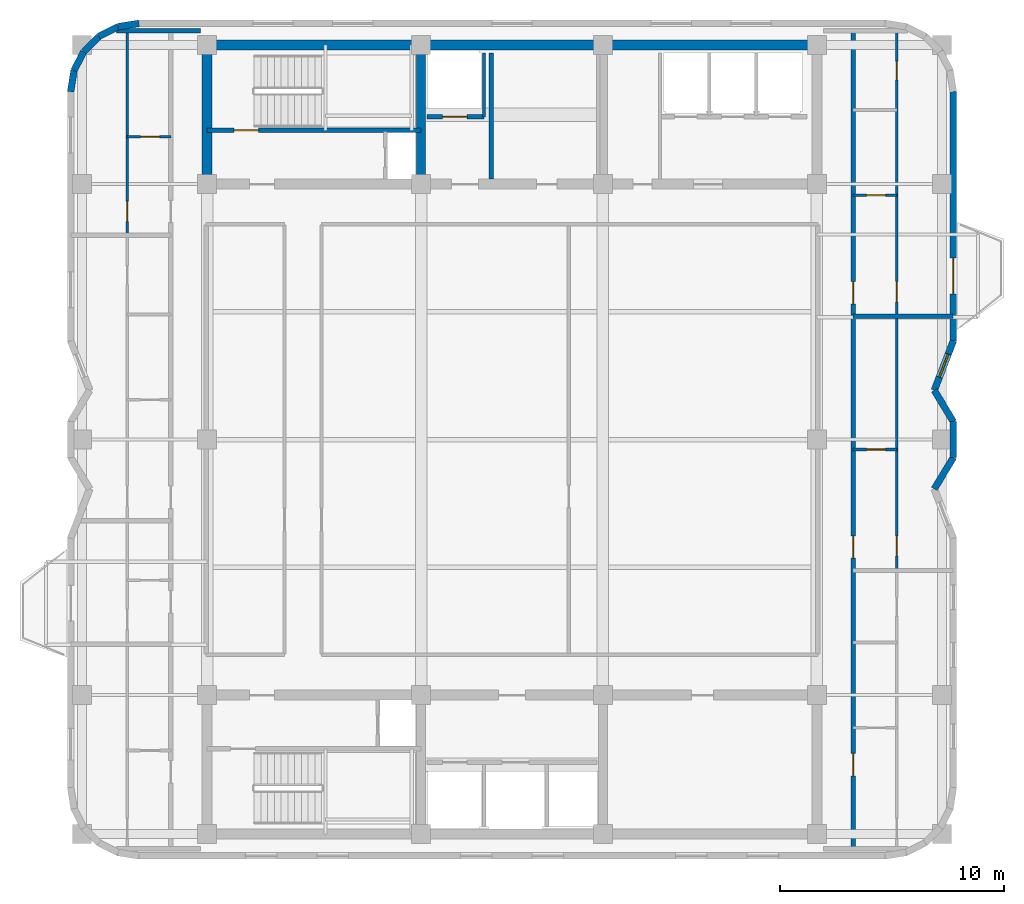
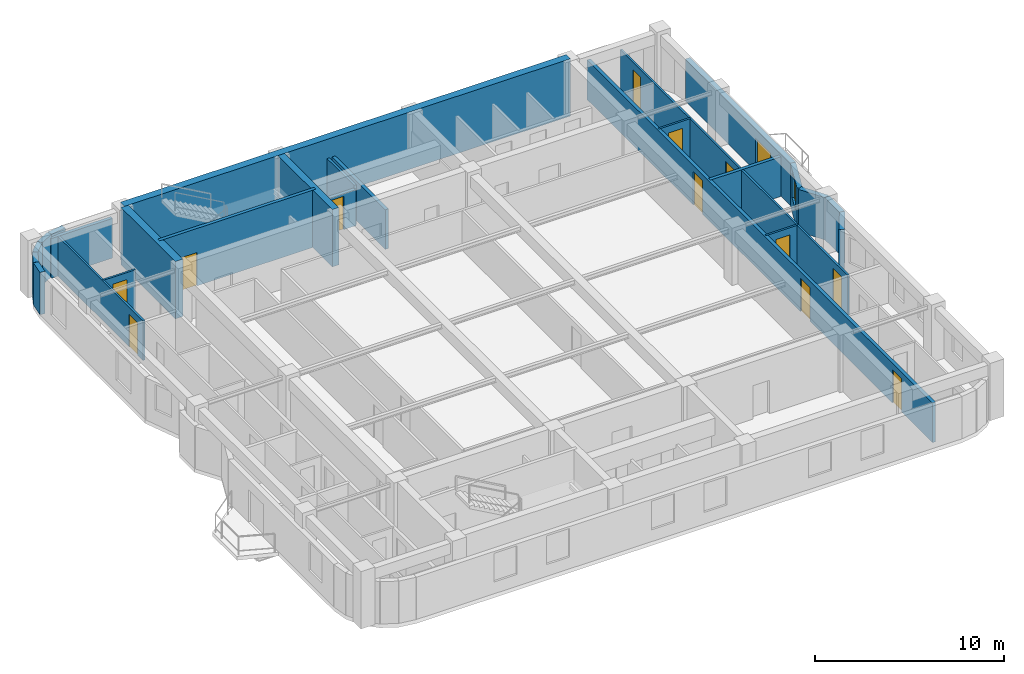
# One storey, part 5 of 8: 26 walls, 13 doors, 1 window, 14 openings.
"""IFC4 building model written with IfcOpenShell, lengths in metres."""

from ifc_helpers import new_model, si_unit, direction, frame, frame_2d, origin, place, context, subcontext, project, spatial, rectangle, extrude, material, layer, layer_set, type_object, element, fill, save


model = new_model("IFC4")

# Units and contexts
model_context = context("Model", 3, precision=1e-05, world=origin(), true_north=direction((0.0, 1.0)))
body_context = subcontext(model_context, "Body", "Model", "MODEL_VIEW")
ifc_project = project(units=[si_unit("LENGTHUNIT", "METRE"), si_unit("AREAUNIT", "SQUARE_METRE"), si_unit("VOLUMEUNIT", "CUBIC_METRE"), si_unit("PLANEANGLEUNIT", "RADIAN"), si_unit("MASSUNIT", "GRAM", prefix="KILO")], contexts=[model_context])

# Site, building, storey
site_placement = place(None, origin())
site = spatial("IfcSite", under=ifc_project, at=site_placement, CompositionType="ELEMENT")
building_placement = place(site_placement, origin())
building = spatial("IfcBuilding", under=site, at=building_placement, Name="Svetorya Sky Lyceum", CompositionType="ELEMENT")
storey_placement = place(building_placement, frame((0.0, 0.0, 229.5)))
storey = spatial("IfcBuildingStorey", under=building, at=storey_placement, Name="L57", CompositionType="ELEMENT", Elevation=229.5)

# Walls
ifc_material_1 = material(Name="Concrete C40/50", Category="concrete")
ifc_layer_1 = layer(ifc_material_1, 0.39990234375)
ifc_layer_set_1 = layer_set([ifc_layer_1], Name="Concrete C40/50")
wall_type_1 = type_object("IfcWallType", Name="WL-CORE-400", PredefinedType="SHEAR", material=ifc_layer_set_1)
wall_1_placement = place(storey_placement, frame((35.14990234375, 39.824951171875, 0.0), z_axis=(0.0, 0.0, 1.0), x_axis=(0.0, 1.0, 0.0)))
element("IfcWall", 1, at=wall_1_placement, inside=storey, type_object=wall_type_1, Name="L57 NC Internal Shear Web WEB1", PredefinedType="SHEAR", context=body_context, shape_type="SweptSolid", body=[
    extrude(rectangle(XDim=5.75, YDim=0.39990234375, at=frame_2d((2.875, 0.0))), origin(), (0.0, 0.0, 1.0), 3.699951171875),
])
ifc_material_2 = material(Name="Concrete C50/60", Category="concrete")
ifc_layer_2 = layer(ifc_material_2, 0.449951171875)
ifc_layer_set_2 = layer_set([ifc_layer_2], Name="Concrete C50/60")
wall_type_2 = type_object("IfcWallType", Name="WL-CORE-450", PredefinedType="SHEAR", material=ifc_layer_set_2)
wall_2_placement = place(storey_placement, frame((25.60009765625, 45.800048828125, 0.0), z_axis=(0.0, 0.0, 1.0), x_axis=(1.0, 0.0, 0.0)))
element("IfcWall", 2, at=wall_2_placement, inside=storey, type_object=wall_type_2, Name="L57 NC Outer Core Shear Wall", PredefinedType="SHEAR", context=body_context, shape_type="SweptSolid", body=[
    extrude(rectangle(XDim=27.199951171875, YDim=0.449951171875, at=frame_2d((13.60009765625, 0.0))), origin(), (0.0, 0.0, 1.0), 3.699951171875),
])
wall_3_placement = place(storey_placement, frame((25.60009765625, 39.824951171875, 0.0), z_axis=(0.0, 0.0, 1.0), x_axis=(0.0, 1.0, 0.0)))
element("IfcWall", 3, at=wall_3_placement, inside=storey, type_object=wall_type_2, Name="L57 NC West Core Shear Wall", PredefinedType="SHEAR", context=body_context, shape_type="SweptSolid", body=[
    extrude(rectangle(XDim=5.75, YDim=0.449951171875, at=frame_2d((2.875, 0.0))), origin(), (0.0, 0.0, 1.0), 3.699951171875),
])
ifc_material_3 = material(Name="Putilovo limestone rainscreen on autoclaved cellular masonry", Category="masonry")
ifc_layer_3 = layer(ifc_material_3, 0.300048828125)
ifc_layer_set_3 = layer_set([ifc_layer_3], Name="Putilovo limestone rainscreen on autoclaved cellular masonry")
wall_type_3 = type_object("IfcWallType", Name="WL-EXT-300", PredefinedType="SOLIDWALL", material=ifc_layer_set_3)
wall_4_placement = place(storey_placement, frame((58.0400390625, 26.0, 0.0), z_axis=(0.0, 0.0, 1.0), x_axis=(0.518939231806, 0.854811133346, 0.0)))
element("IfcWall", 4, at=wall_4_placement, inside=storey, type_object=wall_type_3, Name="L57 Limestone Exterior Wall 14M", PredefinedType="SOLIDWALL", context=body_context, shape_type="SweptSolid", body=[
    extrude(rectangle(XDim=1.6376953125, YDim=0.300048828125, at=frame_2d((0.81884765625, 0.0))), origin(), (0.0, 0.0, 1.0), 2.72998046875),
])
wall_5_placement = place(storey_placement, frame((58.889892578125, 27.39990234375, 0.0), z_axis=(0.0, 0.0, 1.0), x_axis=(0.0, 1.0, 0.0)))
element("IfcWall", 5, at=wall_5_placement, inside=storey, type_object=wall_type_3, Name="L57 Limestone Exterior Wall 15M", PredefinedType="SOLIDWALL", context=body_context, shape_type="SweptSolid", body=[
    extrude(rectangle(XDim=1.60009765625, YDim=0.300048828125, at=frame_2d((0.800048828125, 0.0))), origin(), (0.0, 0.0, 1.0), 2.72998046875),
])
wall_6_placement = place(storey_placement, frame((58.889892578125, 29.0, 0.0), z_axis=(0.0, 0.0, 1.0), x_axis=(-0.518939231806, 0.854811133346, 0.0)))
element("IfcWall", 6, at=wall_6_placement, inside=storey, type_object=wall_type_3, Name="L57 Limestone Exterior Wall 16M", PredefinedType="SOLIDWALL", context=body_context, shape_type="SweptSolid", body=[
    extrude(rectangle(XDim=1.6376953125, YDim=0.300048828125, at=frame_2d((0.81884765625, 0.0))), origin(), (0.0, 0.0, 1.0), 2.72998046875),
])

# Wall, opening, window
wall_7_placement = place(storey_placement, frame((58.0400390625, 30.39990234375, 0.0), z_axis=(0.0, 0.0, 1.0), x_axis=(0.360317400447, 0.932829765249, 0.0)))
wall_7 = element("IfcWall", 7, at=wall_7_placement, inside=storey, type_object=wall_type_3, Name="L57 Limestone Exterior Wall 17M", PredefinedType="SOLIDWALL", context=body_context, shape_type="SweptSolid", body=[
    extrude(rectangle(XDim=2.358642578125, YDim=0.300048828125, at=frame_2d((1.17919921875, 0.0))), origin(), (0.0, 0.0, 1.0), 2.72998046875),
])
opening_1_placement = place(wall_7_placement, frame((0.629150390625, 0.0, 0.919921875)))
opening_1 = element("IfcOpeningElement", 8, at=opening_1_placement, cuts=wall_7, Name="Opening W-R3", PredefinedType="OPENING", context=body_context, shape_type="SweptSolid", body=[
    extrude(rectangle(XDim=1.10009765625, YDim=1.64990234375, at=frame_2d((0.550048828125, 0.824951171875))), frame((0.0, 0.159912109375, 0.0), z_axis=(0.0, -1.0, 0.0), x_axis=(1.0, 0.0, 0.0)), (0.0, 0.0, 1.0), 0.320068359375),
])
ifc_material_4 = material(Name="Thermally broken aluminium frame with triple low-E glazing", Category="aluminium")
window_type = type_object("IfcWindowType", Name="WN-RES-110", PartitioningType="SINGLE_PANEL", PredefinedType="WINDOW", material=ifc_material_4)
window_placement = place(opening_1_placement, origin())
window = element("IfcWindow", 9, at=window_placement, inside=storey, type_object=window_type, Name="L57 Facade Window W-R3.17M.1", OverallHeight=1.64990234375, OverallWidth=1.10009765625, PartitioningType="SINGLE_PANEL", PredefinedType="WINDOW", context=body_context, shape_type="SweptSolid", body=[
    extrude(rectangle(XDim=1.10009765625, YDim=1.64990234375, at=frame_2d((0.550048828125, 0.824951171875))), frame((0.0, 0.030029296875, 0.0), z_axis=(0.0, -1.0, 0.0), x_axis=(1.0, 0.0, 0.0)), (0.0, 0.0, 1.0), 0.06005859375),
])
fill(opening_1, window)

# Wall, opening, door
wall_8_placement = place(storey_placement, frame((58.889892578125, 32.60009765625, 0.0), z_axis=(0.0, 0.0, 1.0), x_axis=(0.0, 1.0, 0.0)))
wall_8 = element("IfcWall", 10, at=wall_8_placement, inside=storey, type_object=wall_type_3, Name="L57 Limestone Exterior Wall 18M", PredefinedType="SOLIDWALL", context=body_context, shape_type="SweptSolid", body=[
    extrude(rectangle(XDim=11.119873046875, YDim=0.300048828125, at=frame_2d((5.56005859375, 0.0))), origin(), (0.0, 0.0, 1.0), 2.72998046875),
])
opening_2_placement = place(wall_8_placement, frame((2.10009765625, 0.0, 0.0)))
opening_2 = element("IfcOpeningElement", 11, at=opening_2_placement, cuts=wall_8, Name="Opening D-BL1", PredefinedType="OPENING", context=body_context, shape_type="SweptSolid", body=[
    extrude(rectangle(XDim=1.60009765625, YDim=2.10009765625, at=frame_2d((0.800048828125, 1.050048828125))), frame((0.0, 0.159912109375, 0.0), z_axis=(0.0, -1.0, 0.0), x_axis=(1.0, 0.0, 0.0)), (0.0, 0.0, 1.0), 0.320068359375),
])
ifc_material_5 = material(Name="Insulated glazed aluminium balcony door", Category="aluminium")
door_type_1 = type_object("IfcDoorType", Name="DR-BAL-1600", OperationType="DOUBLE_DOOR_SINGLE_SWING", PredefinedType="DOOR", material=ifc_material_5)
door_1_placement = place(opening_2_placement, origin())
door_1 = element("IfcDoor", 12, at=door_1_placement, inside=storey, type_object=door_type_1, Name="L57 Balcony BAL-E1 Door", OperationType="DOUBLE_DOOR_SINGLE_SWING", OverallHeight=2.10009765625, OverallWidth=1.60009765625, PredefinedType="DOOR", context=body_context, shape_type="SweptSolid", body=[
    extrude(rectangle(XDim=1.60009765625, YDim=2.10009765625, at=frame_2d((0.800048828125, 1.050048828125))), frame((0.0, 0.02490234375, 0.0), z_axis=(0.0, -1.0, 0.0), x_axis=(1.0, 0.0, 0.0)), (0.0, 0.0, 1.0), 0.050048828125),
])
fill(opening_2, door_1)

# Walls
wall_9_placement = place(storey_placement, frame((22.56005859375, 46.77001953125, 0.0), z_axis=(0.0, 0.0, 1.0), x_axis=(-0.987669453596, -0.156553666304, 0.0)))
element("IfcWall", 13, at=wall_9_placement, inside=storey, type_object=wall_type_3, Name="L57 Limestone Exterior Wall 25M", PredefinedType="SOLIDWALL", context=body_context, shape_type="SweptSolid", body=[
    extrude(rectangle(XDim=0.954345703125, YDim=0.300048828125, at=frame_2d((0.47705078125, 0.0))), origin(), (0.0, 0.0, 1.0), 2.72998046875),
])
wall_10_placement = place(storey_placement, frame((21.617431640625, 46.62060546875, 0.0), z_axis=(0.0, 0.0, 1.0), x_axis=(-0.891023873617, -0.45395644796, 0.0)))
element("IfcWall", 14, at=wall_10_placement, inside=storey, type_object=wall_type_3, Name="L57 Limestone Exterior Wall 26M", PredefinedType="SOLIDWALL", context=body_context, shape_type="SweptSolid", body=[
    extrude(rectangle(XDim=0.9541015625, YDim=0.300048828125, at=frame_2d((0.47705078125, 0.0))), origin(), (0.0, 0.0, 1.0), 2.72998046875),
])
wall_11_placement = place(storey_placement, frame((20.767333984375, 46.1875, 0.0), z_axis=(0.0, 0.0, 1.0), x_axis=(-0.707106781187, -0.707106781187, 0.0)))
element("IfcWall", 15, at=wall_11_placement, inside=storey, type_object=wall_type_3, Name="L57 Limestone Exterior Wall 27M", PredefinedType="SOLIDWALL", context=body_context, shape_type="SweptSolid", body=[
    extrude(rectangle(XDim=0.954345703125, YDim=0.300048828125, at=frame_2d((0.47705078125, 0.0))), origin(), (0.0, 0.0, 1.0), 2.72998046875),
])
wall_12_placement = place(storey_placement, frame((20.092529296875, 45.5126953125, 0.0), z_axis=(0.0, 0.0, 1.0), x_axis=(-0.454159573051, -0.890920356825, 0.0)))
element("IfcWall", 16, at=wall_12_placement, inside=storey, type_object=wall_type_3, Name="L57 Limestone Exterior Wall 28M", PredefinedType="SOLIDWALL", context=body_context, shape_type="SweptSolid", body=[
    extrude(rectangle(XDim=0.9541015625, YDim=0.300048828125, at=frame_2d((0.47705078125, 0.0))), origin(), (0.0, 0.0, 1.0), 2.72998046875),
])
wall_13_placement = place(storey_placement, frame((19.6591796875, 44.66259765625, 0.0), z_axis=(0.0, 0.0, 1.0), x_axis=(-0.156304114255, -0.987708977314, 0.0)))
element("IfcWall", 17, at=wall_13_placement, inside=storey, type_object=wall_type_3, Name="L57 Limestone Exterior Wall 29M", PredefinedType="SOLIDWALL", context=body_context, shape_type="SweptSolid", body=[
    extrude(rectangle(XDim=0.954345703125, YDim=0.300048828125, at=frame_2d((0.47705078125, 0.0))), origin(), (0.0, 0.0, 1.0), 2.72998046875),
])

# Wall, opening, door
ifc_material_6 = material(Name="Twin-stud galvanized framing with double fireboard", Category="gypsum")
ifc_layer_4 = layer(ifc_material_6, 0.1201171875)
ifc_layer_set_4 = layer_set([ifc_layer_4], Name="Twin-stud galvanized framing with double fireboard")
wall_type_4 = type_object("IfcWallType", Name="WL-PART-120", PredefinedType="PARTITIONING", material=ifc_layer_set_4)
wall_14_placement = place(storey_placement, frame((22.030029296875, 41.705078125, 0.0), z_axis=(0.0, 0.0, 1.0), x_axis=(1.0, 0.0, 0.0)))
wall_14 = element("IfcWall", 18, at=wall_14_placement, inside=storey, type_object=wall_type_4, Name="L57 Interior Partition W4-WH1", PredefinedType="PARTITIONING", context=body_context, shape_type="SweptSolid", body=[
    extrude(rectangle(XDim=1.949951171875, YDim=0.1201171875, at=frame_2d((0.97509765625, 0.0))), origin(), (0.0, 0.0, 1.0), 2.56005859375),
])
opening_3_placement = place(wall_14_placement, frame((0.60009765625, 0.0, 0.0)))
opening_3 = element("IfcOpeningElement", 19, at=opening_3_placement, cuts=wall_14, Name="Opening D-BT1", PredefinedType="OPENING", context=body_context, shape_type="SweptSolid", body=[
    extrude(rectangle(XDim=0.85009765625, YDim=2.10009765625, at=frame_2d((0.425048828125, 1.050048828125))), frame((0.0, 0.070068359375, 0.0), z_axis=(0.0, -1.0, 0.0), x_axis=(1.0, 0.0, 0.0)), (0.0, 0.0, 1.0), 0.14013671875),
])
ifc_material_7 = material(Name="Moisture-resistant laminate bathroom door")
door_type_2 = type_object("IfcDoorType", Name="DR-WET-850", OperationType="SINGLE_SWING_LEFT", PredefinedType="DOOR", material=ifc_material_7)
door_2_placement = place(opening_3_placement, origin())
door_2 = element("IfcDoor", 20, at=door_2_placement, inside=storey, type_object=door_type_2, Name="Apartment W4 Bathroom Door", OperationType="SINGLE_SWING_RIGHT", OverallHeight=2.10009765625, OverallWidth=0.85009765625, PredefinedType="DOOR", context=body_context, shape_type="SweptSolid", body=[
    extrude(rectangle(XDim=0.85009765625, YDim=2.10009765625, at=frame_2d((0.425048828125, 1.050048828125))), frame((0.0, 0.02490234375, 0.0), z_axis=(0.0, -1.0, 0.0), x_axis=(1.0, 0.0, 0.0)), (0.0, 0.0, 1.0), 0.050048828125),
])
fill(opening_3, door_2)

wall_15_placement = place(storey_placement, frame((22.030029296875, 37.364990234375, 0.0), z_axis=(0.0, 0.0, 1.0), x_axis=(0.0, 1.0, 0.0)))
wall_15 = element("IfcWall", 21, at=wall_15_placement, inside=storey, type_object=wall_type_4, Name="L57 Interior Partition W4-WV", PredefinedType="PARTITIONING", context=body_context, shape_type="SweptSolid", body=[
    extrude(rectangle(XDim=9.044921875, YDim=0.1201171875, at=frame_2d((4.5224609375, 0.0))), origin(), (0.0, 0.0, 1.0), 2.56005859375),
])
opening_4_placement = place(wall_15_placement, frame((0.56005859375, 0.0, 0.0)))
opening_4 = element("IfcOpeningElement", 22, at=opening_4_placement, cuts=wall_15, Name="Opening D-RM1", PredefinedType="OPENING", context=body_context, shape_type="SweptSolid", body=[
    extrude(rectangle(XDim=0.89990234375, YDim=2.10009765625, at=frame_2d((0.449951171875, 1.050048828125))), frame((0.0, 0.070068359375, 0.0), z_axis=(0.0, -1.0, 0.0), x_axis=(1.0, 0.0, 0.0)), (0.0, 0.0, 1.0), 0.14013671875),
])
ifc_material_8 = material(Name="Lacquered birch veneer internal door")
door_type_3 = type_object("IfcDoorType", Name="DR-INT-900", OperationType="SINGLE_SWING_LEFT", PredefinedType="DOOR", material=ifc_material_8)
door_3_placement = place(opening_4_placement, origin())
door_3 = element("IfcDoor", 23, at=door_3_placement, inside=storey, type_object=door_type_3, Name="Apartment W4 Living Door", OperationType="SINGLE_SWING_LEFT", OverallHeight=2.10009765625, OverallWidth=0.89990234375, PredefinedType="DOOR", context=body_context, shape_type="SweptSolid", body=[
    extrude(rectangle(XDim=0.89990234375, YDim=2.10009765625, at=frame_2d((0.449951171875, 1.050048828125))), frame((0.0, 0.02490234375, 0.0), z_axis=(0.0, -1.0, 0.0), x_axis=(1.0, 0.0, 0.0)), (0.0, 0.0, 1.0), 0.050048828125),
])
fill(opening_4, door_3)

wall_16_placement = place(storey_placement, frame((54.419921875, 27.760009765625, 0.0), z_axis=(0.0, 0.0, 1.0), x_axis=(1.0, 0.0, 0.0)))
wall_16 = element("IfcWall", 24, at=wall_16_placement, inside=storey, type_object=wall_type_4, Name="L57 Interior Partition E2-WH1", PredefinedType="PARTITIONING", context=body_context, shape_type="SweptSolid", body=[
    extrude(rectangle(XDim=1.9501953125, YDim=0.1201171875, at=frame_2d((0.97509765625, 0.0))), origin(), (0.0, 0.0, 1.0), 2.56005859375),
])
opening_5_placement = place(wall_16_placement, frame((0.60009765625, 0.0, 0.0)))
opening_5 = element("IfcOpeningElement", 25, at=opening_5_placement, cuts=wall_16, Name="Opening D-BT1", PredefinedType="OPENING", context=body_context, shape_type="SweptSolid", body=[
    extrude(rectangle(XDim=0.85009765625, YDim=2.10009765625, at=frame_2d((0.425048828125, 1.050048828125))), frame((0.0, 0.070068359375, 0.0), z_axis=(0.0, -1.0, 0.0), x_axis=(1.0, 0.0, 0.0)), (0.0, 0.0, 1.0), 0.14013671875),
])
door_4_placement = place(opening_5_placement, origin())
door_4 = element("IfcDoor", 26, at=door_4_placement, inside=storey, type_object=door_type_2, Name="Apartment E2 Bathroom Door", OperationType="SINGLE_SWING_LEFT", OverallHeight=2.10009765625, OverallWidth=0.85009765625, PredefinedType="DOOR", context=body_context, shape_type="SweptSolid", body=[
    extrude(rectangle(XDim=0.85009765625, YDim=2.10009765625, at=frame_2d((0.425048828125, 1.050048828125))), frame((0.0, 0.02490234375, 0.0), z_axis=(0.0, -1.0, 0.0), x_axis=(1.0, 0.0, 0.0)), (0.0, 0.0, 1.0), 0.050048828125),
])
fill(opening_5, door_4)

wall_17_placement = place(storey_placement, frame((56.3701171875, 22.39990234375, 0.0), z_axis=(0.0, 0.0, 1.0), x_axis=(0.0, 1.0, 0.0)))
wall_17 = element("IfcWall", 27, at=wall_17_placement, inside=storey, type_object=wall_type_4, Name="L57 Interior Partition E2-WV", PredefinedType="PARTITIONING", context=body_context, shape_type="SweptSolid", body=[
    extrude(rectangle(XDim=11.260009765625, YDim=0.1201171875, at=frame_2d((5.6298828125, 0.0))), origin(), (0.0, 0.0, 1.0), 2.56005859375),
])
opening_6_placement = place(wall_17_placement, frame((0.610107421875, 0.0, 0.0)))
opening_6 = element("IfcOpeningElement", 28, at=opening_6_placement, cuts=wall_17, Name="Opening D-RM1", PredefinedType="OPENING", context=body_context, shape_type="SweptSolid", body=[
    extrude(rectangle(XDim=0.89990234375, YDim=2.10009765625, at=frame_2d((0.449951171875, 1.050048828125))), frame((0.0, 0.070068359375, 0.0), z_axis=(0.0, -1.0, 0.0), x_axis=(1.0, 0.0, 0.0)), (0.0, 0.0, 1.0), 0.14013671875),
])
door_5_placement = place(opening_6_placement, origin())
door_5 = element("IfcDoor", 29, at=door_5_placement, inside=storey, type_object=door_type_3, Name="Apartment E2 Living Door", OperationType="SINGLE_SWING_RIGHT", OverallHeight=2.10009765625, OverallWidth=0.89990234375, PredefinedType="DOOR", context=body_context, shape_type="SweptSolid", body=[
    extrude(rectangle(XDim=0.89990234375, YDim=2.10009765625, at=frame_2d((0.449951171875, 1.050048828125))), frame((0.0, 0.02490234375, 0.0), z_axis=(0.0, -1.0, 0.0), x_axis=(1.0, 0.0, 0.0)), (0.0, 0.0, 1.0), 0.050048828125),
])
fill(opening_6, door_5)

wall_18_placement = place(storey_placement, frame((54.419921875, 39.10009765625, 0.0), z_axis=(0.0, 0.0, 1.0), x_axis=(1.0, 0.0, 0.0)))
wall_18 = element("IfcWall", 30, at=wall_18_placement, inside=storey, type_object=wall_type_4, Name="L57 Interior Partition E3-WH1", PredefinedType="PARTITIONING", context=body_context, shape_type="SweptSolid", body=[
    extrude(rectangle(XDim=1.9501953125, YDim=0.1201171875, at=frame_2d((0.97509765625, 0.0))), origin(), (0.0, 0.0, 1.0), 2.56005859375),
])
opening_7_placement = place(wall_18_placement, frame((0.60009765625, 0.0, 0.0)))
opening_7 = element("IfcOpeningElement", 31, at=opening_7_placement, cuts=wall_18, Name="Opening D-BT1", PredefinedType="OPENING", context=body_context, shape_type="SweptSolid", body=[
    extrude(rectangle(XDim=0.85009765625, YDim=2.10009765625, at=frame_2d((0.425048828125, 1.050048828125))), frame((0.0, 0.070068359375, 0.0), z_axis=(0.0, -1.0, 0.0), x_axis=(1.0, 0.0, 0.0)), (0.0, 0.0, 1.0), 0.14013671875),
])
door_6_placement = place(opening_7_placement, origin())
door_6 = element("IfcDoor", 32, at=door_6_placement, inside=storey, type_object=door_type_2, Name="Apartment E3 Bathroom Door", OperationType="SINGLE_SWING_RIGHT", OverallHeight=2.10009765625, OverallWidth=0.85009765625, PredefinedType="DOOR", context=body_context, shape_type="SweptSolid", body=[
    extrude(rectangle(XDim=0.85009765625, YDim=2.10009765625, at=frame_2d((0.425048828125, 1.050048828125))), frame((0.0, 0.02490234375, 0.0), z_axis=(0.0, -1.0, 0.0), x_axis=(1.0, 0.0, 0.0)), (0.0, 0.0, 1.0), 0.050048828125),
])
fill(opening_7, door_6)

# Wall, openings, doors
wall_19_placement = place(storey_placement, frame((56.3701171875, 33.739990234375, 0.0), z_axis=(0.0, 0.0, 1.0), x_axis=(0.0, 1.0, 0.0)))
wall_19 = element("IfcWall", 33, at=wall_19_placement, inside=storey, type_object=wall_type_4, Name="L57 Interior Partition E3-WV", PredefinedType="PARTITIONING", context=body_context, shape_type="SweptSolid", body=[
    extrude(rectangle(XDim=12.669921875, YDim=0.1201171875, at=frame_2d((6.3349609375, 0.0))), origin(), (0.0, 0.0, 1.0), 2.56005859375),
])
opening_8_placement = place(wall_19_placement, frame((0.610107421875, 0.0, 0.0)))
opening_8 = element("IfcOpeningElement", 34, at=opening_8_placement, cuts=wall_19, Name="Opening D-RM1", PredefinedType="OPENING", context=body_context, shape_type="SweptSolid", body=[
    extrude(rectangle(XDim=0.89990234375, YDim=2.10009765625, at=frame_2d((0.449951171875, 1.050048828125))), frame((0.0, 0.070068359375, 0.0), z_axis=(0.0, -1.0, 0.0), x_axis=(1.0, 0.0, 0.0)), (0.0, 0.0, 1.0), 0.14013671875),
])
opening_9_placement = place(wall_19_placement, frame((10.510009765625, 0.0, 0.0)))
opening_9 = element("IfcOpeningElement", 35, at=opening_9_placement, cuts=wall_19, Name="Opening D-BT2", PredefinedType="OPENING", context=body_context, shape_type="SweptSolid", body=[
    extrude(rectangle(XDim=0.820068359375, YDim=2.080078125, at=frame_2d((0.41015625, 1.0400390625))), frame((0.0, 0.070068359375, 0.0), z_axis=(0.0, -1.0, 0.0), x_axis=(1.0, 0.0, 0.0)), (0.0, 0.0, 1.0), 0.14013671875),
])
door_7_placement = place(opening_8_placement, origin())
door_7 = element("IfcDoor", 36, at=door_7_placement, inside=storey, type_object=door_type_3, Name="Apartment E3 Living Door", OperationType="SINGLE_SWING_LEFT", OverallHeight=2.10009765625, OverallWidth=0.89990234375, PredefinedType="DOOR", context=body_context, shape_type="SweptSolid", body=[
    extrude(rectangle(XDim=0.89990234375, YDim=2.10009765625, at=frame_2d((0.449951171875, 1.050048828125))), frame((0.0, 0.02490234375, 0.0), z_axis=(0.0, -1.0, 0.0), x_axis=(1.0, 0.0, 0.0)), (0.0, 0.0, 1.0), 0.050048828125),
])
fill(opening_8, door_7)
ifc_material_9 = material(Name="Compact moisture-resistant laminate closet door")
door_type_4 = type_object("IfcDoorType", Name="DR-WET-820", OperationType="SINGLE_SWING_LEFT", PredefinedType="DOOR", material=ifc_material_9)
door_8_placement = place(opening_9_placement, origin())
door_8 = element("IfcDoor", 37, at=door_8_placement, inside=storey, type_object=door_type_4, Name="Apartment E3 Study Door", OperationType="SINGLE_SWING_RIGHT", OverallHeight=2.080078125, OverallWidth=0.820068359375, PredefinedType="DOOR", context=body_context, shape_type="SweptSolid", body=[
    extrude(rectangle(XDim=0.820068359375, YDim=2.080078125, at=frame_2d((0.41015625, 1.0400390625))), frame((0.0, 0.02490234375, 0.0), z_axis=(0.0, -1.0, 0.0), x_axis=(1.0, 0.0, 0.0)), (0.0, 0.0, 1.0), 0.050048828125),
])
fill(opening_9, door_8)

# Wall
ifc_material_10 = material(Name="Autoclaved cellular masonry blockwork with acoustic render", Category="masonry")
ifc_layer_5 = layer(ifc_material_10, 0.14990234375)
ifc_layer_set_5 = layer_set([ifc_layer_5], Name="Autoclaved cellular masonry blockwork with acoustic render")
wall_type_5 = type_object("IfcWallType", Name="WL-PART-150", PredefinedType="PARTITIONING", material=ifc_layer_set_5)
wall_20_placement = place(storey_placement, frame((37.949951171875, 42.60009765625, 0.0), z_axis=(0.0, 0.0, 1.0), x_axis=(0.0, 1.0, 0.0)))
element("IfcWall", 38, at=wall_20_placement, inside=storey, type_object=wall_type_5, Name="L57 Interior Partition NC-FL1SIDE", PredefinedType="PARTITIONING", context=body_context, shape_type="SweptSolid", body=[
    extrude(rectangle(XDim=2.849853515625, YDim=0.14990234375, at=frame_2d((1.4248046875, 0.0))), origin(), (0.0, 0.0, 1.0), 2.56005859375),
])

# Wall, opening, door
ifc_material_11 = material(Name="Autoclaved cellular masonry blockwork with gypsum plaster", Category="masonry")
ifc_layer_6 = layer(ifc_material_11, 0.199951171875)
ifc_layer_set_6 = layer_set([ifc_layer_6], Name="Autoclaved cellular masonry blockwork with gypsum plaster")
wall_type_6 = type_object("IfcWallType", Name="WL-PART-200", PredefinedType="PARTITIONING", material=ifc_layer_set_6)
wall_21_placement = place(storey_placement, frame((37.949951171875, 42.60009765625, 0.0), z_axis=(0.0, 0.0, 1.0), x_axis=(-1.0, 0.0, 0.0)))
wall_21 = element("IfcWall", 39, at=wall_21_placement, inside=storey, type_object=wall_type_6, Name="L57 Interior Partition NC-FL1W", PredefinedType="PARTITIONING", context=body_context, shape_type="SweptSolid", body=[
    extrude(rectangle(XDim=2.550048828125, YDim=0.199951171875, at=frame_2d((1.27490234375, 0.0))), origin(), (0.0, 0.0, 1.0), 2.330078125),
])
opening_10_placement = place(wall_21_placement, frame((0.75, 0.0, 0.0)))
opening_10 = element("IfcOpeningElement", 40, at=opening_10_placement, cuts=wall_21, Name="Opening LD-FL", PredefinedType="OPENING", context=body_context, shape_type="SweptSolid", body=[
    extrude(rectangle(XDim=1.10009765625, YDim=2.14990234375, at=frame_2d((0.550048828125, 1.074951171875))), frame((0.0, 0.10986328125, 0.0), z_axis=(0.0, -1.0, 0.0), x_axis=(1.0, 0.0, 0.0)), (0.0, 0.0, 1.0), 0.219970703125),
])
ifc_material_12 = material(Name="Fire-rated stainless AISI 304 firefighting lift landing door")
door_type_5 = type_object("IfcDoorType", Name="DR-LIFT-1100", OperationType="SLIDING_TO_LEFT", PredefinedType="DOOR", material=ifc_material_12)
door_9_placement = place(opening_10_placement, origin())
door_9 = element("IfcDoor", 41, at=door_9_placement, inside=storey, type_object=door_type_5, Name="L57 Firefighting Lift FL1 Landing Door", OperationType="SLIDING_TO_LEFT", OverallHeight=2.14990234375, OverallWidth=1.10009765625, PredefinedType="DOOR", context=body_context, shape_type="SweptSolid", body=[
    extrude(rectangle(XDim=1.10009765625, YDim=2.14990234375, at=frame_2d((0.550048828125, 1.074951171875))), frame((0.0, 0.02490234375, 0.0), z_axis=(0.0, -1.0, 0.0), x_axis=(1.0, 0.0, 0.0)), (0.0, 0.0, 1.0), 0.050048828125),
])
fill(opening_10, door_9)

# Walls
wall_22_placement = place(storey_placement, frame((38.280029296875, 39.820068359375, 0.0), z_axis=(0.0, 0.0, 1.0), x_axis=(0.0, 1.0, 0.0)))
element("IfcWall", 42, at=wall_22_placement, inside=storey, type_object=wall_type_6, Name="L57 Interior Partition NC-FFLDIV", PredefinedType="PARTITIONING", context=body_context, shape_type="SweptSolid", body=[
    extrude(rectangle(XDim=5.6298828125, YDim=0.199951171875, at=frame_2d((2.81494140625, 0.0))), origin(), (0.0, 0.0, 1.0), 2.56005859375),
])
wall_23_placement = place(storey_placement, frame((21.5458984375, 46.449951171875, 0.0), z_axis=(0.0, 0.0, 1.0), x_axis=(1.0, 0.0, 0.0)))
element("IfcWall", 43, at=wall_23_placement, inside=storey, type_object=wall_type_6, Name="L57 Interior Partition W-CAP-N", PredefinedType="PARTITIONING", context=body_context, shape_type="SweptSolid", body=[
    extrude(rectangle(XDim=3.754150390625, YDim=0.199951171875, at=frame_2d((1.876953125, 0.0))), origin(), (0.0, 0.0, 1.0), 2.56005859375),
])
wall_24_placement = place(storey_placement, frame((54.419921875, 33.699951171875, 0.0), z_axis=(0.0, 0.0, 1.0), x_axis=(1.0, 0.0, 0.0)))
element("IfcWall", 44, at=wall_24_placement, inside=storey, type_object=wall_type_6, Name="L57 Interior Partition E-PARTY-2", PredefinedType="PARTITIONING", context=body_context, shape_type="SweptSolid", body=[
    extrude(rectangle(XDim=4.4501953125, YDim=0.199951171875, at=frame_2d((2.22509765625, 0.0))), origin(), (0.0, 0.0, 1.0), 2.56005859375),
])

# Wall, openings, doors
wall_25_placement = place(storey_placement, frame((54.419921875, 9.949951171875, 0.0), z_axis=(0.0, 0.0, 1.0), x_axis=(0.0, 1.0, 0.0)))
wall_25 = element("IfcWall", 45, at=wall_25_placement, inside=storey, type_object=wall_type_6, Name="L57 Interior Partition E-CORRW", PredefinedType="PARTITIONING", context=body_context, shape_type="SweptSolid", body=[
    extrude(rectangle(XDim=36.5, YDim=0.199951171875, at=frame_2d((18.25, 0.0))), origin(), (0.0, 0.0, 1.0), 2.56005859375),
])
opening_11_placement = place(wall_25_placement, frame((3.25, 0.0, 0.0)))
opening_11 = element("IfcOpeningElement", 46, at=opening_11_placement, cuts=wall_25, Name="Opening D-APT1", PredefinedType="OPENING", context=body_context, shape_type="SweptSolid", body=[
    extrude(rectangle(XDim=1.0, YDim=2.14990234375, at=frame_2d((0.5, 1.074951171875))), frame((0.0, 0.10986328125, 0.0), z_axis=(0.0, -1.0, 0.0), x_axis=(1.0, 0.0, 0.0)), (0.0, 0.0, 1.0), 0.219970703125),
])
opening_12_placement = place(wall_25_placement, frame((12.9599609375, 0.0, 0.0)))
opening_12 = element("IfcOpeningElement", 47, at=opening_12_placement, cuts=wall_25, Name="Opening D-APT1", PredefinedType="OPENING", context=body_context, shape_type="SweptSolid", body=[
    extrude(rectangle(XDim=1.0, YDim=2.14990234375, at=frame_2d((0.5, 1.074951171875))), frame((0.0, 0.10986328125, 0.0), z_axis=(0.0, -1.0, 0.0), x_axis=(1.0, 0.0, 0.0)), (0.0, 0.0, 1.0), 0.219970703125),
])
opening_13_placement = place(wall_25_placement, frame((24.300048828125, 0.0, 0.0)))
opening_13 = element("IfcOpeningElement", 48, at=opening_13_placement, cuts=wall_25, Name="Opening D-APT1", PredefinedType="OPENING", context=body_context, shape_type="SweptSolid", body=[
    extrude(rectangle(XDim=1.0, YDim=2.14990234375, at=frame_2d((0.5, 1.074951171875))), frame((0.0, 0.10986328125, 0.0), z_axis=(0.0, -1.0, 0.0), x_axis=(1.0, 0.0, 0.0)), (0.0, 0.0, 1.0), 0.219970703125),
])
ifc_material_13 = material(Name="Insulated oak-veneered apartment entrance door")
door_type_6 = type_object("IfcDoorType", Name="DR-APT-1000", OperationType="SINGLE_SWING_LEFT", PredefinedType="DOOR", material=ifc_material_13)
door_10_placement = place(opening_11_placement, origin())
door_10 = element("IfcDoor", 49, at=door_10_placement, inside=storey, type_object=door_type_6, Name="L57 Apartment E1 Entrance Door", OperationType="SINGLE_SWING_RIGHT", OverallHeight=2.14990234375, OverallWidth=1.0, PredefinedType="DOOR", context=body_context, shape_type="SweptSolid", body=[
    extrude(rectangle(XDim=1.0, YDim=2.14990234375, at=frame_2d((0.5, 1.074951171875))), frame((0.0, 0.02490234375, 0.0), z_axis=(0.0, -1.0, 0.0), x_axis=(1.0, 0.0, 0.0)), (0.0, 0.0, 1.0), 0.050048828125),
])
fill(opening_11, door_10)
door_11_placement = place(opening_12_placement, origin())
door_11 = element("IfcDoor", 50, at=door_11_placement, inside=storey, type_object=door_type_6, Name="L57 Apartment E2 Entrance Door", OperationType="SINGLE_SWING_LEFT", OverallHeight=2.14990234375, OverallWidth=1.0, PredefinedType="DOOR", context=body_context, shape_type="SweptSolid", body=[
    extrude(rectangle(XDim=1.0, YDim=2.14990234375, at=frame_2d((0.5, 1.074951171875))), frame((0.0, 0.02490234375, 0.0), z_axis=(0.0, -1.0, 0.0), x_axis=(1.0, 0.0, 0.0)), (0.0, 0.0, 1.0), 0.050048828125),
])
fill(opening_12, door_11)
door_12_placement = place(opening_13_placement, origin())
door_12 = element("IfcDoor", 51, at=door_12_placement, inside=storey, type_object=door_type_6, Name="L57 Apartment E3 Entrance Door", OperationType="SINGLE_SWING_RIGHT", OverallHeight=2.14990234375, OverallWidth=1.0, PredefinedType="DOOR", context=body_context, shape_type="SweptSolid", body=[
    extrude(rectangle(XDim=1.0, YDim=2.14990234375, at=frame_2d((0.5, 1.074951171875))), frame((0.0, 0.02490234375, 0.0), z_axis=(0.0, -1.0, 0.0), x_axis=(1.0, 0.0, 0.0)), (0.0, 0.0, 1.0), 0.050048828125),
])
fill(opening_13, door_12)

# Wall, opening, door
ifc_layer_7 = layer(ifc_material_2, 0.199951171875)
ifc_layer_set_7 = layer_set([ifc_layer_7], Name="Concrete C50/60")
wall_type_7 = type_object("IfcWallType", Name="WL-SHW-200", PredefinedType="SHEAR", material=ifc_layer_set_7)
wall_26_placement = place(storey_placement, frame((35.14990234375, 42.0, 0.0), z_axis=(0.0, 0.0, 1.0), x_axis=(-1.0, 0.0, 0.0)))
wall_26 = element("IfcWall", 52, at=wall_26_placement, inside=storey, type_object=wall_type_7, Name="L57 Structural Stair Shaft Wall NC-STW", PredefinedType="SHEAR", context=body_context, shape_type="SweptSolid", body=[
    extrude(rectangle(XDim=9.5498046875, YDim=0.199951171875, at=frame_2d((4.77490234375, 0.0))), origin(), (0.0, 0.0, 1.0), 3.699951171875),
])
opening_14_placement = place(wall_26_placement, frame((7.25, 0.0, 0.0)))
opening_14 = element("IfcOpeningElement", 53, at=opening_14_placement, cuts=wall_26, Name="Opening D-ST1", PredefinedType="OPENING", context=body_context, shape_type="SweptSolid", body=[
    extrude(rectangle(XDim=1.10009765625, YDim=2.14990234375, at=frame_2d((0.550048828125, 1.074951171875))), frame((0.0, 0.10986328125, 0.0), z_axis=(0.0, -1.0, 0.0), x_axis=(1.0, 0.0, 0.0)), (0.0, 0.0, 1.0), 0.219970703125),
])
ifc_material_14 = material(Name="Powder-coated insulated galvanized stair fire door")
door_type_7 = type_object("IfcDoorType", Name="DR-FIRE-1100", OperationType="SINGLE_SWING_LEFT", PredefinedType="DOOR", material=ifc_material_14)
door_13_placement = place(opening_14_placement, origin())
door_13 = element("IfcDoor", 54, at=door_13_placement, inside=storey, type_object=door_type_7, Name="L57 Stair ST-N Vestibule Fire Door", OperationType="SINGLE_SWING_RIGHT", OverallHeight=2.14990234375, OverallWidth=1.10009765625, PredefinedType="DOOR", context=body_context, shape_type="SweptSolid", body=[
    extrude(rectangle(XDim=1.10009765625, YDim=2.14990234375, at=frame_2d((0.550048828125, 1.074951171875))), frame((0.0, 0.02490234375, 0.0), z_axis=(0.0, -1.0, 0.0), x_axis=(1.0, 0.0, 0.0)), (0.0, 0.0, 1.0), 0.050048828125),
])
fill(opening_14, door_13)

save(model, "model.ifc")
